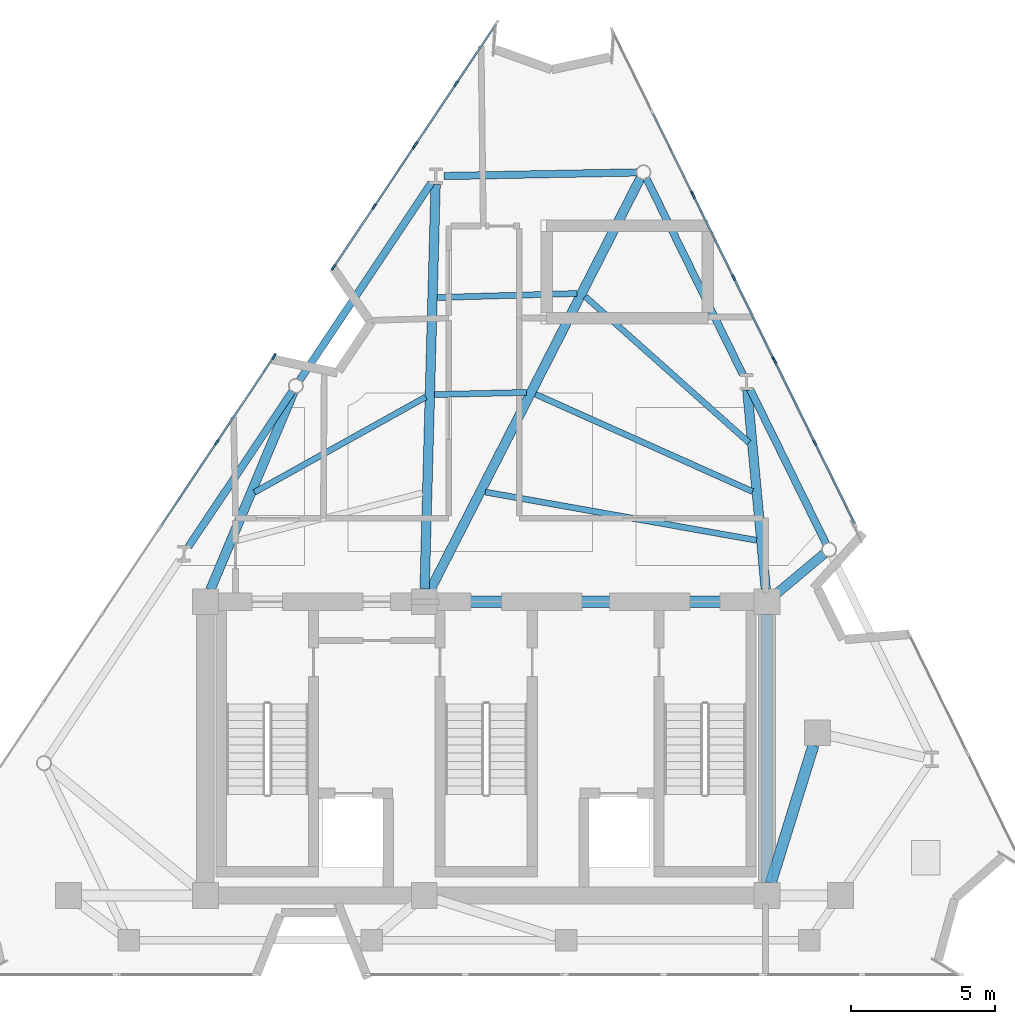
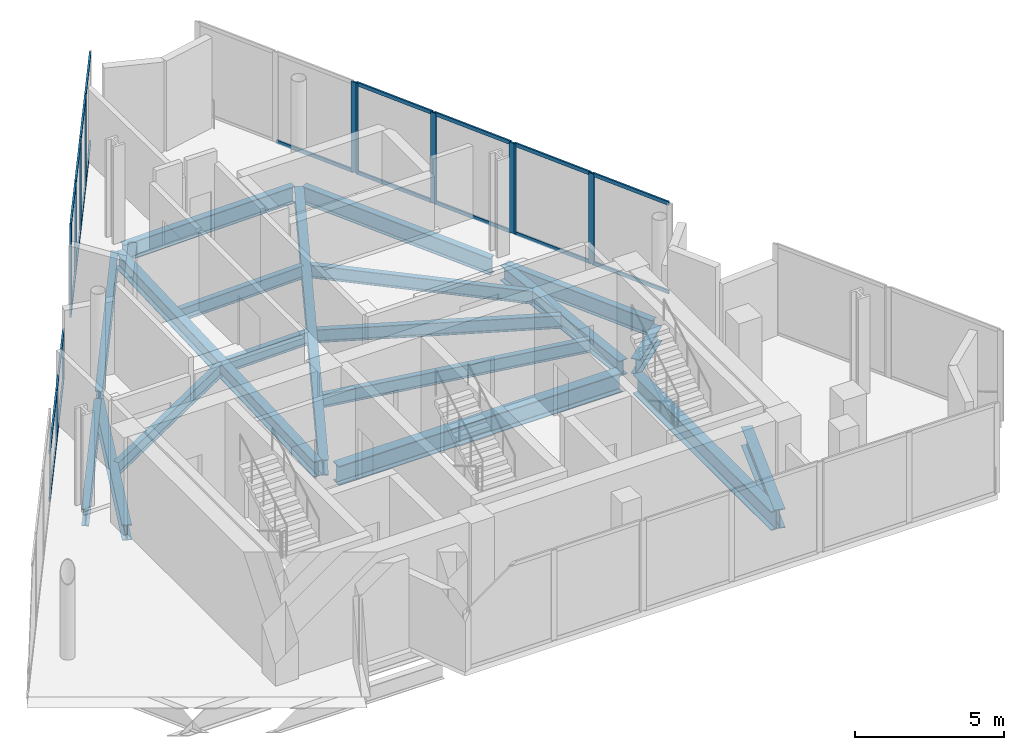
# One storey, part 3 of 9: 34 members, 19 beams, 6 elements without a shape of their own.
"""IFC4 building model written with IfcOpenShell, lengths in metres."""

from ifc_helpers import new_model, si_unit, direction, frame, origin, origin_2d, place, context, subcontext, project, spatial, rectangle, i_section, extrude, material, layer, layer_set, material_profile, profile_set, type_object, element, aggregate, save


model = new_model("IFC4")

# Units and contexts
model_context = context("Model", 3, precision=1e-05, world=origin(), true_north=direction((0.0, 1.0)))
body_context = subcontext(model_context, "Body", "Model", "MODEL_VIEW")
ifc_project = project(units=[si_unit("LENGTHUNIT", "METRE"), si_unit("AREAUNIT", "SQUARE_METRE"), si_unit("VOLUMEUNIT", "CUBIC_METRE"), si_unit("PLANEANGLEUNIT", "RADIAN"), si_unit("MASSUNIT", "GRAM", prefix="KILO")], contexts=[model_context])

# Site, building, storey
site_placement = place(None, origin())
site = spatial("IfcSite", under=ifc_project, at=site_placement, CompositionType="ELEMENT")
building_placement = place(site_placement, origin())
building = spatial("IfcBuilding", under=site, at=building_placement, Name="Almagre Mirador Tower", CompositionType="ELEMENT")
storey_placement = place(building_placement, frame((0.0, 0.0, 310.5)))
storey = spatial("IfcBuildingStorey", under=building, at=storey_placement, Name="L80", CompositionType="ELEMENT", Elevation=310.5)

# Beams
ifc_material_1 = material(Name="Steel ASTM A992 Grade 50", Category="steel")
ifc_material_profile_1 = material_profile(ifc_material_1, i_section(OverallWidth=0.208984375, OverallDepth=0.532958984375, WebThickness=0.01025390625, FlangeThickness=0.015625, FilletRadius=0.01806640625, at=origin_2d()), Name="W21X62")
ifc_profile_set_1 = profile_set([ifc_material_profile_1], Name="Steel ASTM A992 Grade 50")
beam_type_1 = type_object("IfcBeamType", Name="BM-JST-W21X62", PredefinedType="JOIST", material=ifc_profile_set_1)
beam_1_placement = place(storey_placement, frame((46.423828125, 20.27587890625, -0.56640625), z_axis=(-0.746221866145, 0.665697323479, 0.0), x_axis=(-0.665697323479, -0.746221866145, 0.0)))
element("IfcBeam", 1, at=beam_1_placement, inside=storey, type_object=beam_type_1, Name="L80 secondary floor joist PC07-PC08.1", PredefinedType="JOIST", context=body_context, shape_type="SweptSolid", body=[
    extrude(i_section(OverallWidth=0.208984375, OverallDepth=0.532958984375, WebThickness=0.01025390625, FlangeThickness=0.015625, FilletRadius=0.01806640625, at=origin_2d()), origin(), (0.0, 0.0, 1.0), 7.619140625),
])
beam_2_placement = place(storey_placement, frame((46.550048828125, 18.57763671875, -0.56640625), z_axis=(-0.912603271466, 0.408846265617, 0.0), x_axis=(-0.408846265617, -0.912603271466, 0.0)))
element("IfcBeam", 2, at=beam_2_placement, inside=storey, type_object=beam_type_1, Name="L80 secondary floor joist PC07-PC08.2", PredefinedType="JOIST", context=body_context, shape_type="SweptSolid", body=[
    extrude(i_section(OverallWidth=0.208984375, OverallDepth=0.532958984375, WebThickness=0.01025390625, FlangeThickness=0.015625, FilletRadius=0.01806640625, at=origin_2d()), origin(), (0.0, 0.0, 1.0), 8.259765625),
])
beam_3_placement = place(storey_placement, frame((46.692138671875, 16.883056640625, -0.56640625), z_axis=(-0.984569639354, 0.174993214903, 0.0), x_axis=(-0.174993214903, -0.984569639354, 0.0)))
element("IfcBeam", 3, at=beam_3_placement, inside=storey, type_object=beam_type_1, Name="L80 secondary floor joist PC07-PC08.3", PredefinedType="JOIST", context=body_context, shape_type="SweptSolid", body=[
    extrude(i_section(OverallWidth=0.208984375, OverallDepth=0.532958984375, WebThickness=0.01025390625, FlangeThickness=0.015625, FilletRadius=0.01806640625, at=origin_2d()), origin(), (0.0, 0.0, 1.0), 9.5693359375),
])
beam_4_placement = place(storey_placement, frame((40.4501953125, 25.452880859375, -0.56640625), z_axis=(-0.999591141536, -0.028592827134, 0.0), x_axis=(0.028592827134, -0.999591141536, 0.0)))
element("IfcBeam", 4, at=beam_4_placement, inside=storey, type_object=beam_type_1, Name="L80 secondary floor joist PC08-PC09.1", PredefinedType="JOIST", context=body_context, shape_type="SweptSolid", body=[
    extrude(i_section(OverallWidth=0.208984375, OverallDepth=0.532958984375, WebThickness=0.01025390625, FlangeThickness=0.015625, FilletRadius=0.01806640625, at=origin_2d()), origin(), (0.0, 0.0, 1.0), 4.849853515625),
])
beam_5_placement = place(storey_placement, frame((38.69677734375, 22.018310546875, -0.56640625), z_axis=(-0.999725244584, -0.02344003715, 0.0), x_axis=(0.02344003715, -0.999725244584, 0.0)))
element("IfcBeam", 5, at=beam_5_placement, inside=storey, type_object=beam_type_1, Name="L80 secondary floor joist PC08-PC09.2", PredefinedType="JOIST", context=body_context, shape_type="SweptSolid", body=[
    extrude(i_section(OverallWidth=0.208984375, OverallDepth=0.532958984375, WebThickness=0.01025390625, FlangeThickness=0.015625, FilletRadius=0.01806640625, at=origin_2d()), origin(), (0.0, 0.0, 1.0), 3.187255859375),
])
beam_6_placement = place(storey_placement, frame((35.201416015625, 21.859375, -0.56640625), z_axis=(-0.873705351545, -0.486455505346, 0.0), x_axis=(0.486455505346, -0.873705351545, 0.0)))
element("IfcBeam", 6, at=beam_6_placement, inside=storey, type_object=beam_type_1, Name="L80 secondary floor joist PC09-PC10.2", PredefinedType="JOIST", context=body_context, shape_type="SweptSolid", body=[
    extrude(i_section(OverallWidth=0.208984375, OverallDepth=0.532958984375, WebThickness=0.01025390625, FlangeThickness=0.015625, FilletRadius=0.01806640625, at=origin_2d()), origin(), (0.0, 0.0, 1.0), 6.8095703125),
])
ifc_material_2 = material(Name="Steel ASTM A992 Grade 50", Category="steel")
ifc_material_profile_2 = material_profile(ifc_material_2, i_section(OverallWidth=0.256103515625, OverallDepth=0.693115234375, WebThickness=0.014404296875, FlangeThickness=0.023681640625, FilletRadius=0.02197265625, at=origin_2d()), Name="W27X114")
ifc_profile_set_2 = profile_set([ifc_material_profile_2], Name="Steel ASTM A992 Grade 50")
beam_type_2 = type_object("IfcBeamType", Name="BM-SPN-W27X114", PredefinedType="SPANDREL", material=ifc_profile_set_2)
beam_7_placement = place(storey_placement, frame((49.10791015625, 16.75537109375, -0.646484375), z_axis=(-0.441280885173, 0.897369032439, 0.0), x_axis=(-0.897369032439, -0.441280885173, 0.0)))
element("IfcBeam", 7, at=beam_7_placement, inside=storey, type_object=beam_type_2, Name="L80 perimeter spandrel beam PC06-PC07", PredefinedType="SPANDREL", context=body_context, shape_type="SweptSolid", body=[
    extrude(i_section(OverallWidth=0.256103515625, OverallDepth=0.693115234375, WebThickness=0.014404296875, FlangeThickness=0.023681640625, FilletRadius=0.02197265625, at=origin_2d()), origin(), (0.0, 0.0, 1.0), 5.985107421875),
])
beam_8_placement = place(storey_placement, frame((46.215087890625, 22.6376953125, -0.646484375), z_axis=(-0.441260346392, 0.897379132085, 0.0), x_axis=(-0.897379132085, -0.441260346392, 0.0)))
element("IfcBeam", 8, at=beam_8_placement, inside=storey, type_object=beam_type_2, Name="L80 perimeter spandrel beam PC07-PC08", PredefinedType="SPANDREL", context=body_context, shape_type="SweptSolid", body=[
    extrude(i_section(OverallWidth=0.256103515625, OverallDepth=0.693115234375, WebThickness=0.014404296875, FlangeThickness=0.023681640625, FilletRadius=0.02197265625, at=origin_2d()), origin(), (0.0, 0.0, 1.0), 7.607666015625),
])
beam_9_placement = place(storey_placement, frame((42.541015625, 29.657958984375, -0.646484375), z_axis=(-0.999822125959, -0.018860446513, 0.0), x_axis=(0.018860446513, -0.999822125959, 0.0)))
element("IfcBeam", 9, at=beam_9_placement, inside=storey, type_object=beam_type_2, Name="L80 perimeter spandrel beam PC08-PC09", PredefinedType="SPANDREL", context=body_context, shape_type="SweptSolid", body=[
    extrude(i_section(OverallWidth=0.256103515625, OverallDepth=0.693115234375, WebThickness=0.014404296875, FlangeThickness=0.023681640625, FilletRadius=0.02197265625, at=origin_2d()), origin(), (0.0, 0.0, 1.0), 6.705322265625),
])
beam_10_placement = place(storey_placement, frame((35.393798828125, 29.2890625, -0.646484375), z_axis=(-0.555219210279, -0.831704051052, 0.0), x_axis=(0.831704051052, -0.555219210279, 0.0)))
element("IfcBeam", 10, at=beam_10_placement, inside=storey, type_object=beam_type_2, Name="L80 perimeter spandrel beam PC09-PC10", PredefinedType="SPANDREL", context=body_context, shape_type="SweptSolid", body=[
    extrude(i_section(OverallWidth=0.256103515625, OverallDepth=0.693115234375, WebThickness=0.014404296875, FlangeThickness=0.023681640625, FilletRadius=0.02197265625, at=origin_2d()), origin(), (0.0, 0.0, 1.0), 8.248291015625),
])
beam_11_placement = place(storey_placement, frame((30.56982421875, 22.06298828125, -0.646484375), z_axis=(-0.555229008561, -0.831697509947, 0.0), x_axis=(0.831697509947, -0.555229008561, 0.0)))
element("IfcBeam", 11, at=beam_11_placement, inside=storey, type_object=beam_type_2, Name="L80 perimeter spandrel beam PC10-PC11", PredefinedType="SPANDREL", context=body_context, shape_type="SweptSolid", body=[
    extrude(i_section(OverallWidth=0.256103515625, OverallDepth=0.693115234375, WebThickness=0.014404296875, FlangeThickness=0.023681640625, FilletRadius=0.02197265625, at=origin_2d()), origin(), (0.0, 0.0, 1.0), 6.49755859375),
])
ifc_material_3 = material(Name="Steel ASTM A992 Grade 50", Category="steel")
ifc_material_profile_3 = material_profile(ifc_material_3, i_section(OverallWidth=0.330078125, OverallDepth=0.635009765625, WebThickness=0.017822265625, FlangeThickness=0.031005859375, FilletRadius=0.02001953125, at=origin_2d()), Name="W24X162")
ifc_profile_set_3 = profile_set([ifc_material_profile_3], Name="Steel ASTM A992 Grade 50")
beam_type_3 = type_object("IfcBeamType", Name="BM-STL-W24X162", PredefinedType="BEAM", material=ifc_profile_set_3)
beam_12_placement = place(storey_placement, frame((49.03662109375, 16.41650390625, -0.617431640625), z_axis=(-0.766153543196, -0.642657566865, 0.0), x_axis=(0.642657566865, -0.766153543196, 0.0)))
element("IfcBeam", 12, at=beam_12_placement, inside=storey, type_object=beam_type_3, Name="L80 radial floor girder PC06-CC6", PredefinedType="BEAM", context=body_context, shape_type="SweptSolid", body=[
    extrude(i_section(OverallWidth=0.330078125, OverallDepth=0.635009765625, WebThickness=0.017822265625, FlangeThickness=0.031005859375, FilletRadius=0.02001953125, at=origin_2d()), origin(), (0.0, 0.0, 1.0), 2.14306640625),
])
beam_13_placement = place(storey_placement, frame((46.367431640625, 22.09814453125, -0.617431640625), z_axis=(0.092479594249, -0.995714579911, 0.0), x_axis=(0.995714579911, 0.092479594249, 0.0)))
element("IfcBeam", 13, at=beam_13_placement, inside=storey, type_object=beam_type_3, Name="L80 radial floor girder PC07-CC6", PredefinedType="BEAM", context=body_context, shape_type="SweptSolid", body=[
    extrude(i_section(OverallWidth=0.330078125, OverallDepth=0.635009765625, WebThickness=0.017822265625, FlangeThickness=0.031005859375, FilletRadius=0.02001953125, at=origin_2d()), origin(), (0.0, 0.0, 1.0), 6.929931640625),
])
beam_14_placement = place(storey_placement, frame((42.660888671875, 29.466064453125, -0.617431640625), z_axis=(-0.454605133062, -0.890693085745, 0.0), x_axis=(0.890693085745, -0.454605133062, 0.0)))
element("IfcBeam", 14, at=beam_14_placement, inside=storey, type_object=beam_type_3, Name="L80 radial floor girder PC08-CC5", PredefinedType="BEAM", context=body_context, shape_type="SweptSolid", body=[
    extrude(i_section(OverallWidth=0.330078125, OverallDepth=0.635009765625, WebThickness=0.017822265625, FlangeThickness=0.031005859375, FilletRadius=0.02001953125, at=origin_2d()), origin(), (0.0, 0.0, 1.0), 16.072021484375),
])
beam_15_placement = place(storey_placement, frame((35.544189453125, 29.2412109375, -0.617431640625), z_axis=(-0.027200697889, -0.999629992564, 0.0), x_axis=(0.999629992564, -0.027200697889, 0.0)))
element("IfcBeam", 15, at=beam_15_placement, inside=storey, type_object=beam_type_3, Name="L80 radial floor girder PC09-CC5", PredefinedType="BEAM", context=body_context, shape_type="SweptSolid", body=[
    extrude(i_section(OverallWidth=0.330078125, OverallDepth=0.635009765625, WebThickness=0.017822265625, FlangeThickness=0.031005859375, FilletRadius=0.02001953125, at=origin_2d()), origin(), (0.0, 0.0, 1.0), 14.046630859375),
])
beam_16_placement = place(storey_placement, frame((30.60693359375, 22.043212890625, -0.617431640625), z_axis=(-0.386546157571, -0.922270062437, 0.0), x_axis=(0.922270062437, -0.386546157571, 0.0)))
element("IfcBeam", 16, at=beam_16_placement, inside=storey, type_object=beam_type_3, Name="L80 radial floor girder PC10-CC4", PredefinedType="BEAM", context=body_context, shape_type="SweptSolid", body=[
    extrude(i_section(OverallWidth=0.330078125, OverallDepth=0.635009765625, WebThickness=0.017822265625, FlangeThickness=0.031005859375, FilletRadius=0.02001953125, at=origin_2d()), origin(), (0.0, 0.0, 1.0), 7.457763671875),
])
ifc_material_4 = material(Name="Steel ASTM A992 Grade 50", Category="steel")
ifc_material_profile_4 = material_profile(ifc_material_4, i_section(OverallWidth=0.384033203125, OverallDepth=0.784912109375, WebThickness=0.019775390625, FlangeThickness=0.033447265625, FilletRadius=0.02392578125, at=origin_2d()), Name="W30X211")
ifc_profile_set_4 = profile_set([ifc_material_profile_4], Name="Steel ASTM A992 Grade 50")
beam_type_4 = type_object("IfcBeamType", Name="BM-STL-W30X211", PredefinedType="BEAM", material=ifc_profile_set_4)
beam_17_placement = place(storey_placement, frame((35.60009765625, 14.75, -0.6923828125), z_axis=(1.0, 0.0, 0.0), x_axis=(0.0, 1.0, 0.0)))
element("IfcBeam", 17, at=beam_17_placement, inside=storey, type_object=beam_type_4, Name="L80 core tie girder CC5-CC6", PredefinedType="BEAM", context=body_context, shape_type="SweptSolid", body=[
    extrude(i_section(OverallWidth=0.384033203125, OverallDepth=0.784912109375, WebThickness=0.019775390625, FlangeThickness=0.033447265625, FilletRadius=0.02392578125, at=origin_2d()), origin(), (0.0, 0.0, 1.0), 11.0),
])
beam_18_placement = place(storey_placement, frame((47.050048828125, 5.0, -0.6923828125), z_axis=(0.0, 1.0, 0.0), x_axis=(-1.0, 0.0, 0.0)))
element("IfcBeam", 18, at=beam_18_placement, inside=storey, type_object=beam_type_4, Name="L80 core tie girder CC3-CC6", PredefinedType="BEAM", context=body_context, shape_type="SweptSolid", body=[
    extrude(i_section(OverallWidth=0.384033203125, OverallDepth=0.784912109375, WebThickness=0.019775390625, FlangeThickness=0.033447265625, FilletRadius=0.02392578125, at=origin_2d()), origin(), (0.0, 0.0, 1.0), 9.300048828125),
])
beam_19_placement = place(storey_placement, frame((48.6669921875, 9.77001953125, -0.6923828125), z_axis=(-0.295912212866, -0.955215139263, 0.0), x_axis=(0.955215139263, -0.295912212866, 0.0)))
element("IfcBeam", 19, at=beam_19_placement, inside=storey, type_object=beam_type_4, Name="L80 core tie girder MC3-CC3", PredefinedType="BEAM", context=body_context, shape_type="SweptSolid", body=[
    extrude(i_section(OverallWidth=0.384033203125, OverallDepth=0.784912109375, WebThickness=0.019775390625, FlangeThickness=0.033447265625, FilletRadius=0.02392578125, at=origin_2d()), origin(), (0.0, 0.0, 1.0), 5.0146484375),
])

# Curtain wall, members
ifc_material_5 = material(Name="Black anodized aluminium", Category="aluminium")
ifc_layer = layer(ifc_material_5, 0.2099609375)
ifc_layer_set = layer_set([ifc_layer], Name="Black anodized aluminium")
curtain_wall_type = type_object("IfcCurtainWallType", Name="CW-CRN-SYS", PredefinedType="NOTDEFINED", material=ifc_layer_set)
curtain_wall_1_placement = place(storey_placement, origin())
curtain_wall_1 = element("IfcCurtainWall", 20, at=curtain_wall_1_placement, inside=storey, type_object=curtain_wall_type, Name="L80 curtain wall run 03", PredefinedType="NOTDEFINED")
ifc_material_6 = material(Name="Black anodized aluminium", Category="aluminium")
ifc_material_profile_5 = material_profile(ifc_material_6, rectangle(XDim=0.070068359375, YDim=0.2099609375, at=origin_2d()), Name="CWM70X210")
ifc_profile_set_5 = profile_set([ifc_material_profile_5], Name="Black anodized aluminium")
member_type_1 = type_object("IfcMemberType", Name="MBR-CWM70X210", PredefinedType="MULLION", material=ifc_profile_set_5)
member_1_placement = place(storey_placement, frame((27.943115234375, 20.289306640625, 0.0), z_axis=(0.0, 0.0, 1.0), x_axis=(-0.83170106349, 0.555223685545, 0.0)))
member_1 = element("IfcMember", 21, at=member_1_placement, type_object=member_type_1, Name="CW-6 mullion 2", PredefinedType="MULLION", context=body_context, shape_type="SweptSolid", body=[
    extrude(rectangle(XDim=0.070068359375, YDim=0.2099609375, at=origin_2d()), origin(), (0.0, 0.0, 1.0), 2.0048828125),
])
member_2_placement = place(storey_placement, frame((29.93017578125, 23.26611328125, 0.0), z_axis=(0.0, 0.0, 1.0), x_axis=(-0.83170106349, 0.555223685545, 0.0)))
member_2 = element("IfcMember", 22, at=member_2_placement, type_object=member_type_1, Name="CW-6 mullion 3", PredefinedType="MULLION", context=body_context, shape_type="SweptSolid", body=[
    extrude(rectangle(XDim=0.070068359375, YDim=0.2099609375, at=origin_2d()), origin(), (0.0, 0.0, 1.0), 2.0048828125),
])

curtain_wall_2_placement = place(storey_placement, origin())
curtain_wall_2 = element("IfcCurtainWall", 23, at=curtain_wall_2_placement, inside=storey, type_object=curtain_wall_type, Name="L80 curtain wall run 04", PredefinedType="NOTDEFINED")
member_3_placement = place(storey_placement, frame((32.00146484375, 26.369384765625, 0.0), z_axis=(0.0, 0.0, 1.0), x_axis=(-0.831672217709, 0.555266892846, 0.0)))
member_3 = element("IfcMember", 24, at=member_3_placement, type_object=member_type_1, Name="CW-6 mullion 1", PredefinedType="MULLION", context=body_context, shape_type="SweptSolid", body=[
    extrude(rectangle(XDim=0.070068359375, YDim=0.2099609375, at=origin_2d()), origin(), (0.0, 0.0, 1.0), 3.699951171875),
])
member_4_placement = place(storey_placement, frame((33.40625, 28.473388671875, 0.0), z_axis=(0.0, 0.0, 1.0), x_axis=(-0.831672217709, 0.555266892846, 0.0)))
member_4 = element("IfcMember", 25, at=member_4_placement, type_object=member_type_1, Name="CW-6 mullion 2", PredefinedType="MULLION", context=body_context, shape_type="SweptSolid", body=[
    extrude(rectangle(XDim=0.070068359375, YDim=0.2099609375, at=origin_2d()), origin(), (0.0, 0.0, 1.0), 3.699951171875),
])
member_5_placement = place(storey_placement, frame((34.81103515625, 30.577392578125, 0.0), z_axis=(0.0, 0.0, 1.0), x_axis=(-0.831672217709, 0.555266892846, 0.0)))
member_5 = element("IfcMember", 26, at=member_5_placement, type_object=member_type_1, Name="CW-6 mullion 3", PredefinedType="MULLION", context=body_context, shape_type="SweptSolid", body=[
    extrude(rectangle(XDim=0.070068359375, YDim=0.2099609375, at=origin_2d()), origin(), (0.0, 0.0, 1.0), 3.699951171875),
])

curtain_wall_3_placement = place(storey_placement, origin())
curtain_wall_3 = element("IfcCurtainWall", 27, at=curtain_wall_3_placement, inside=storey, type_object=curtain_wall_type, Name="L80 curtain wall run 05", PredefinedType="NOTDEFINED")
member_6_placement = place(storey_placement, frame((34.849853515625, 30.635498046875, 0.0), z_axis=(0.0, 0.0, 1.0), x_axis=(-0.831672217709, 0.555266892846, 0.0)))
member_6 = element("IfcMember", 28, at=member_6_placement, type_object=member_type_1, Name="CW-6 mullion 1", PredefinedType="MULLION", context=body_context, shape_type="SweptSolid", body=[
    extrude(rectangle(XDim=0.070068359375, YDim=0.2099609375, at=origin_2d()), origin(), (0.0, 0.0, 1.0), 3.699951171875),
])
member_7_placement = place(storey_placement, frame((36.254638671875, 32.73974609375, 0.0), z_axis=(0.0, 0.0, 1.0), x_axis=(-0.831672217709, 0.555266892846, 0.0)))
member_7 = element("IfcMember", 29, at=member_7_placement, type_object=member_type_1, Name="CW-6 mullion 2", PredefinedType="MULLION", context=body_context, shape_type="SweptSolid", body=[
    extrude(rectangle(XDim=0.070068359375, YDim=0.2099609375, at=origin_2d()), origin(), (0.0, 0.0, 1.0), 3.699951171875),
])

# Curtain wall, member
curtain_wall_4_placement = place(storey_placement, origin())
curtain_wall_4 = element("IfcCurtainWall", 30, at=curtain_wall_4_placement, inside=storey, type_object=curtain_wall_type, Name="L80 curtain wall run 06", PredefinedType="NOTDEFINED")
member_8_placement = place(storey_placement, frame((44.470947265625, 28.9052734375, 0.0), z_axis=(0.0, 0.0, 1.0), x_axis=(0.897357785219, 0.441303756281, 0.0)))
member_8 = element("IfcMember", 31, at=member_8_placement, type_object=member_type_1, Name="CW-6 mullion 3", PredefinedType="MULLION", context=body_context, shape_type="SweptSolid", body=[
    extrude(rectangle(XDim=0.070068359375, YDim=0.2099609375, at=origin_2d()), origin(), (0.0, 0.0, 1.0), 3.699951171875),
])

# Curtain wall, members
curtain_wall_5_placement = place(storey_placement, origin())
curtain_wall_5 = element("IfcCurtainWall", 32, at=curtain_wall_5_placement, inside=storey, type_object=curtain_wall_type, Name="L80 curtain wall run 07", PredefinedType="NOTDEFINED")
member_9_placement = place(storey_placement, frame((44.501953125, 28.842529296875, 0.0), z_axis=(0.0, 0.0, 1.0), x_axis=(0.897360831388, 0.441297562072, 0.0)))
member_9 = element("IfcMember", 33, at=member_9_placement, type_object=member_type_1, Name="CW-6 mullion 1", PredefinedType="MULLION", context=body_context, shape_type="SweptSolid", body=[
    extrude(rectangle(XDim=0.070068359375, YDim=0.2099609375, at=origin_2d()), origin(), (0.0, 0.0, 1.0), 3.699951171875),
])
member_10_placement = place(storey_placement, frame((45.89697265625, 26.00537109375, 0.0), z_axis=(0.0, 0.0, 1.0), x_axis=(0.897360831388, 0.441297562072, 0.0)))
member_10 = element("IfcMember", 34, at=member_10_placement, type_object=member_type_1, Name="CW-6 mullion 2", PredefinedType="MULLION", context=body_context, shape_type="SweptSolid", body=[
    extrude(rectangle(XDim=0.070068359375, YDim=0.2099609375, at=origin_2d()), origin(), (0.0, 0.0, 1.0), 3.699951171875),
])
member_11_placement = place(storey_placement, frame((47.292236328125, 23.168212890625, 0.0), z_axis=(0.0, 0.0, 1.0), x_axis=(0.897360831388, 0.441297562072, 0.0)))
member_11 = element("IfcMember", 35, at=member_11_placement, type_object=member_type_1, Name="CW-6 mullion 3", PredefinedType="MULLION", context=body_context, shape_type="SweptSolid", body=[
    extrude(rectangle(XDim=0.070068359375, YDim=0.2099609375, at=origin_2d()), origin(), (0.0, 0.0, 1.0), 3.699951171875),
])

curtain_wall_6_placement = place(storey_placement, origin())
curtain_wall_6 = element("IfcCurtainWall", 36, at=curtain_wall_6_placement, inside=storey, type_object=curtain_wall_type, Name="L80 curtain wall run 08", PredefinedType="NOTDEFINED")
member_12_placement = place(storey_placement, frame((47.3232421875, 23.10546875, 0.0), z_axis=(0.0, 0.0, 1.0), x_axis=(0.897357785219, 0.441303756281, 0.0)))
member_12 = element("IfcMember", 37, at=member_12_placement, type_object=member_type_1, Name="CW-6 mullion 1", PredefinedType="MULLION", context=body_context, shape_type="SweptSolid", body=[
    extrude(rectangle(XDim=0.070068359375, YDim=0.2099609375, at=origin_2d()), origin(), (0.0, 0.0, 1.0), 3.699951171875),
])
member_13_placement = place(storey_placement, frame((48.71826171875, 20.2685546875, 0.0), z_axis=(0.0, 0.0, 1.0), x_axis=(0.897357785219, 0.441303756281, 0.0)))
member_13 = element("IfcMember", 38, at=member_13_placement, type_object=member_type_1, Name="CW-6 mullion 2", PredefinedType="MULLION", context=body_context, shape_type="SweptSolid", body=[
    extrude(rectangle(XDim=0.070068359375, YDim=0.2099609375, at=origin_2d()), origin(), (0.0, 0.0, 1.0), 3.699951171875),
])

# Member
ifc_material_7 = material(Name="Black anodized aluminium", Category="aluminium")
ifc_material_profile_6 = material_profile(ifc_material_7, rectangle(XDim=0.06494140625, YDim=0.14990234375, at=origin_2d()), Name="CWT65X150")
ifc_profile_set_6 = profile_set([ifc_material_profile_6], Name="Black anodized aluminium")
member_type_2 = type_object("IfcMemberType", Name="MBR-CWT65X150", PredefinedType="USERDEFINED", material=ifc_profile_set_6)
member_14_placement = place(storey_placement, frame((25.975341796875, 17.341796875, 0.032470703125), z_axis=(0.555213880065, 0.83170760931, 0.0), x_axis=(-0.83170760931, 0.555213880065, 0.0)))
member_14 = element("IfcMember", 39, at=member_14_placement, type_object=member_type_2, Name="CW-6 transom 1.1", ObjectType="TRANSOM", PredefinedType="USERDEFINED", context=body_context, shape_type="SweptSolid", body=[
    extrude(rectangle(XDim=0.06494140625, YDim=0.14990234375, at=origin_2d()), origin(), (0.0, 0.0, 1.0), 3.509033203125),
])

member_15_placement = place(storey_placement, frame((25.975341796875, 17.341796875, 1.972412109375), z_axis=(0.555213880065, 0.83170760931, 0.0), x_axis=(-0.83170760931, 0.555213880065, 0.0)))
member_15 = element("IfcMember", 40, at=member_15_placement, type_object=member_type_2, Name="CW-6 transom 1.2", ObjectType="TRANSOM", PredefinedType="USERDEFINED", context=body_context, shape_type="SweptSolid", body=[
    extrude(rectangle(XDim=0.06494140625, YDim=0.14990234375, at=origin_2d()), origin(), (0.0, 0.0, 1.0), 3.509033203125),
])

member_16_placement = place(storey_placement, frame((27.96240234375, 20.318603515625, 0.032470703125), z_axis=(0.555213880065, 0.83170760931, 0.0), x_axis=(-0.83170760931, 0.555213880065, 0.0)))
member_16 = element("IfcMember", 41, at=member_16_placement, type_object=member_type_2, Name="CW-6 transom 2.1", ObjectType="TRANSOM", PredefinedType="USERDEFINED", context=body_context, shape_type="SweptSolid", body=[
    extrude(rectangle(XDim=0.06494140625, YDim=0.14990234375, at=origin_2d()), origin(), (0.0, 0.0, 1.0), 3.509033203125),
])

member_17_placement = place(storey_placement, frame((27.96240234375, 20.318603515625, 1.972412109375), z_axis=(0.555213880065, 0.83170760931, 0.0), x_axis=(-0.83170760931, 0.555213880065, 0.0)))
member_17 = element("IfcMember", 42, at=member_17_placement, type_object=member_type_2, Name="CW-6 transom 2.2", ObjectType="TRANSOM", PredefinedType="USERDEFINED", context=body_context, shape_type="SweptSolid", body=[
    extrude(rectangle(XDim=0.06494140625, YDim=0.14990234375, at=origin_2d()), origin(), (0.0, 0.0, 1.0), 3.509033203125),
])

aggregate(curtain_wall_1, [member_1, member_2, member_14, member_15, member_16, member_17])

member_18_placement = place(storey_placement, frame((32.02099609375, 26.3984375, 0.032470703125), z_axis=(0.555272628955, 0.831668387961, 0.0), x_axis=(-0.831668387961, 0.555272628955, 0.0)))
member_18 = element("IfcMember", 43, at=member_18_placement, type_object=member_type_2, Name="CW-6 transom 1.1", ObjectType="TRANSOM", PredefinedType="USERDEFINED", context=body_context, shape_type="SweptSolid", body=[
    extrude(rectangle(XDim=0.06494140625, YDim=0.14990234375, at=origin_2d()), origin(), (0.0, 0.0, 1.0), 2.4599609375),
])

member_19_placement = place(storey_placement, frame((32.02099609375, 26.3984375, 3.66748046875), z_axis=(0.555272628955, 0.831668387961, 0.0), x_axis=(-0.831668387961, 0.555272628955, 0.0)))
member_19 = element("IfcMember", 44, at=member_19_placement, type_object=member_type_2, Name="CW-6 transom 1.2", ObjectType="TRANSOM", PredefinedType="USERDEFINED", context=body_context, shape_type="SweptSolid", body=[
    extrude(rectangle(XDim=0.06494140625, YDim=0.14990234375, at=origin_2d()), origin(), (0.0, 0.0, 1.0), 2.4599609375),
])

member_20_placement = place(storey_placement, frame((33.42578125, 28.50244140625, 0.032470703125), z_axis=(0.555272628955, 0.831668387961, 0.0), x_axis=(-0.831668387961, 0.555272628955, 0.0)))
member_20 = element("IfcMember", 45, at=member_20_placement, type_object=member_type_2, Name="CW-6 transom 2.1", ObjectType="TRANSOM", PredefinedType="USERDEFINED", context=body_context, shape_type="SweptSolid", body=[
    extrude(rectangle(XDim=0.06494140625, YDim=0.14990234375, at=origin_2d()), origin(), (0.0, 0.0, 1.0), 2.4599609375),
])

member_21_placement = place(storey_placement, frame((33.42578125, 28.50244140625, 3.66748046875), z_axis=(0.555272628955, 0.831668387961, 0.0), x_axis=(-0.831668387961, 0.555272628955, 0.0)))
member_21 = element("IfcMember", 46, at=member_21_placement, type_object=member_type_2, Name="CW-6 transom 2.2", ObjectType="TRANSOM", PredefinedType="USERDEFINED", context=body_context, shape_type="SweptSolid", body=[
    extrude(rectangle(XDim=0.06494140625, YDim=0.14990234375, at=origin_2d()), origin(), (0.0, 0.0, 1.0), 2.4599609375),
])

aggregate(curtain_wall_2, [member_3, member_4, member_5, member_18, member_19, member_20, member_21])

member_22_placement = place(storey_placement, frame((34.869384765625, 30.664794921875, 0.032470703125), z_axis=(0.555318463243, 0.831637784364, 0.0), x_axis=(-0.831637784364, 0.555318463243, 0.0)))
member_22 = element("IfcMember", 47, at=member_22_placement, type_object=member_type_2, Name="CW-6 transom 1.1", ObjectType="TRANSOM", PredefinedType="USERDEFINED", context=body_context, shape_type="SweptSolid", body=[
    extrude(rectangle(XDim=0.06494140625, YDim=0.14990234375, at=origin_2d()), origin(), (0.0, 0.0, 1.0), 2.459716796875),
])

member_23_placement = place(storey_placement, frame((34.869384765625, 30.664794921875, 3.66748046875), z_axis=(0.555318463243, 0.831637784364, 0.0), x_axis=(-0.831637784364, 0.555318463243, 0.0)))
member_23 = element("IfcMember", 48, at=member_23_placement, type_object=member_type_2, Name="CW-6 transom 1.2", ObjectType="TRANSOM", PredefinedType="USERDEFINED", context=body_context, shape_type="SweptSolid", body=[
    extrude(rectangle(XDim=0.06494140625, YDim=0.14990234375, at=origin_2d()), origin(), (0.0, 0.0, 1.0), 2.459716796875),
])

member_24_placement = place(storey_placement, frame((36.274169921875, 32.768798828125, 0.032470703125), z_axis=(0.555272628955, 0.831668387961, 0.0), x_axis=(-0.831668387961, 0.555272628955, 0.0)))
member_24 = element("IfcMember", 49, at=member_24_placement, type_object=member_type_2, Name="CW-6 transom 2.1", ObjectType="TRANSOM", PredefinedType="USERDEFINED", context=body_context, shape_type="SweptSolid", body=[
    extrude(rectangle(XDim=0.06494140625, YDim=0.14990234375, at=origin_2d()), origin(), (0.0, 0.0, 1.0), 2.4599609375),
])

member_25_placement = place(storey_placement, frame((36.274169921875, 32.768798828125, 3.66748046875), z_axis=(0.555272628955, 0.831668387961, 0.0), x_axis=(-0.831668387961, 0.555272628955, 0.0)))
member_25 = element("IfcMember", 50, at=member_25_placement, type_object=member_type_2, Name="CW-6 transom 2.2", ObjectType="TRANSOM", PredefinedType="USERDEFINED", context=body_context, shape_type="SweptSolid", body=[
    extrude(rectangle(XDim=0.06494140625, YDim=0.14990234375, at=origin_2d()), origin(), (0.0, 0.0, 1.0), 2.4599609375),
])

aggregate(curtain_wall_3, [member_6, member_7, member_22, member_23, member_24, member_25])

member_26_placement = place(storey_placement, frame((43.09130859375, 31.7109375, 0.032470703125), z_axis=(0.441296720742, -0.897361245131, 0.0), x_axis=(0.897361245131, 0.441296720742, 0.0)))
member_26 = element("IfcMember", 51, at=member_26_placement, type_object=member_type_2, Name="CW-6 transom 2.1", ObjectType="TRANSOM", PredefinedType="USERDEFINED", context=body_context, shape_type="SweptSolid", body=[
    extrude(rectangle(XDim=0.06494140625, YDim=0.14990234375, at=origin_2d()), origin(), (0.0, 0.0, 1.0), 3.091552734375),
])

aggregate(curtain_wall_4, [member_8, member_26])

member_27_placement = place(storey_placement, frame((44.517333984375, 28.81103515625, 0.032470703125), z_axis=(0.441296720742, -0.897361245131, 0.0), x_axis=(0.897361245131, 0.441296720742, 0.0)))
member_27 = element("IfcMember", 52, at=member_27_placement, type_object=member_type_2, Name="CW-6 transom 1.1", ObjectType="TRANSOM", PredefinedType="USERDEFINED", context=body_context, shape_type="SweptSolid", body=[
    extrude(rectangle(XDim=0.06494140625, YDim=0.14990234375, at=origin_2d()), origin(), (0.0, 0.0, 1.0), 3.091552734375),
])

member_28_placement = place(storey_placement, frame((44.517333984375, 28.81103515625, 3.66748046875), z_axis=(0.441296720742, -0.897361245131, 0.0), x_axis=(0.897361245131, 0.441296720742, 0.0)))
member_28 = element("IfcMember", 53, at=member_28_placement, type_object=member_type_2, Name="CW-6 transom 1.2", ObjectType="TRANSOM", PredefinedType="USERDEFINED", context=body_context, shape_type="SweptSolid", body=[
    extrude(rectangle(XDim=0.06494140625, YDim=0.14990234375, at=origin_2d()), origin(), (0.0, 0.0, 1.0), 3.091552734375),
])

member_29_placement = place(storey_placement, frame((45.91259765625, 25.973876953125, 0.032470703125), z_axis=(0.441296720742, -0.897361245131, 0.0), x_axis=(0.897361245131, 0.441296720742, 0.0)))
member_29 = element("IfcMember", 54, at=member_29_placement, type_object=member_type_2, Name="CW-6 transom 2.1", ObjectType="TRANSOM", PredefinedType="USERDEFINED", context=body_context, shape_type="SweptSolid", body=[
    extrude(rectangle(XDim=0.06494140625, YDim=0.14990234375, at=origin_2d()), origin(), (0.0, 0.0, 1.0), 3.091552734375),
])

member_30_placement = place(storey_placement, frame((45.91259765625, 25.973876953125, 3.66748046875), z_axis=(0.441296720742, -0.897361245131, 0.0), x_axis=(0.897361245131, 0.441296720742, 0.0)))
member_30 = element("IfcMember", 55, at=member_30_placement, type_object=member_type_2, Name="CW-6 transom 2.2", ObjectType="TRANSOM", PredefinedType="USERDEFINED", context=body_context, shape_type="SweptSolid", body=[
    extrude(rectangle(XDim=0.06494140625, YDim=0.14990234375, at=origin_2d()), origin(), (0.0, 0.0, 1.0), 3.091552734375),
])

aggregate(curtain_wall_5, [member_9, member_10, member_11, member_27, member_28, member_29, member_30])

member_31_placement = place(storey_placement, frame((47.338623046875, 23.073974609375, 0.032470703125), z_axis=(0.441296720742, -0.897361245131, 0.0), x_axis=(0.897361245131, 0.441296720742, 0.0)))
member_31 = element("IfcMember", 56, at=member_31_placement, type_object=member_type_2, Name="CW-6 transom 1.1", ObjectType="TRANSOM", PredefinedType="USERDEFINED", context=body_context, shape_type="SweptSolid", body=[
    extrude(rectangle(XDim=0.06494140625, YDim=0.14990234375, at=origin_2d()), origin(), (0.0, 0.0, 1.0), 3.091552734375),
])

member_32_placement = place(storey_placement, frame((47.338623046875, 23.073974609375, 3.66748046875), z_axis=(0.441296720742, -0.897361245131, 0.0), x_axis=(0.897361245131, 0.441296720742, 0.0)))
member_32 = element("IfcMember", 57, at=member_32_placement, type_object=member_type_2, Name="CW-6 transom 1.2", ObjectType="TRANSOM", PredefinedType="USERDEFINED", context=body_context, shape_type="SweptSolid", body=[
    extrude(rectangle(XDim=0.06494140625, YDim=0.14990234375, at=origin_2d()), origin(), (0.0, 0.0, 1.0), 3.091552734375),
])

member_33_placement = place(storey_placement, frame((48.73388671875, 20.237060546875, 0.032470703125), z_axis=(0.441296720742, -0.897361245131, 0.0), x_axis=(0.897361245131, 0.441296720742, 0.0)))
member_33 = element("IfcMember", 58, at=member_33_placement, type_object=member_type_2, Name="CW-6 transom 2.1", ObjectType="TRANSOM", PredefinedType="USERDEFINED", context=body_context, shape_type="SweptSolid", body=[
    extrude(rectangle(XDim=0.06494140625, YDim=0.14990234375, at=origin_2d()), origin(), (0.0, 0.0, 1.0), 3.091552734375),
])

member_34_placement = place(storey_placement, frame((48.73388671875, 20.237060546875, 3.66748046875), z_axis=(0.441296720742, -0.897361245131, 0.0), x_axis=(0.897361245131, 0.441296720742, 0.0)))
member_34 = element("IfcMember", 59, at=member_34_placement, type_object=member_type_2, Name="CW-6 transom 2.2", ObjectType="TRANSOM", PredefinedType="USERDEFINED", context=body_context, shape_type="SweptSolid", body=[
    extrude(rectangle(XDim=0.06494140625, YDim=0.14990234375, at=origin_2d()), origin(), (0.0, 0.0, 1.0), 3.091552734375),
])

aggregate(curtain_wall_6, [member_12, member_13, member_31, member_32, member_33, member_34])

save(model, "model.ifc")
